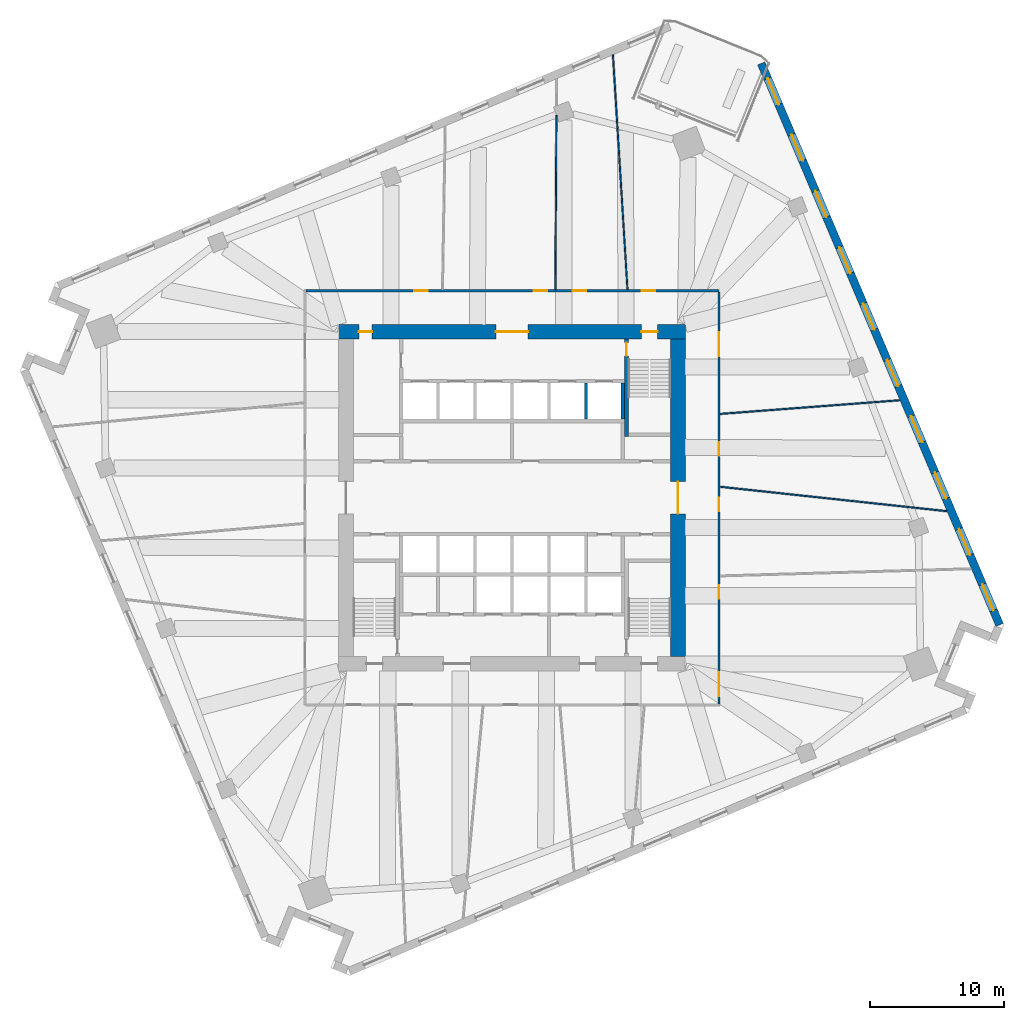
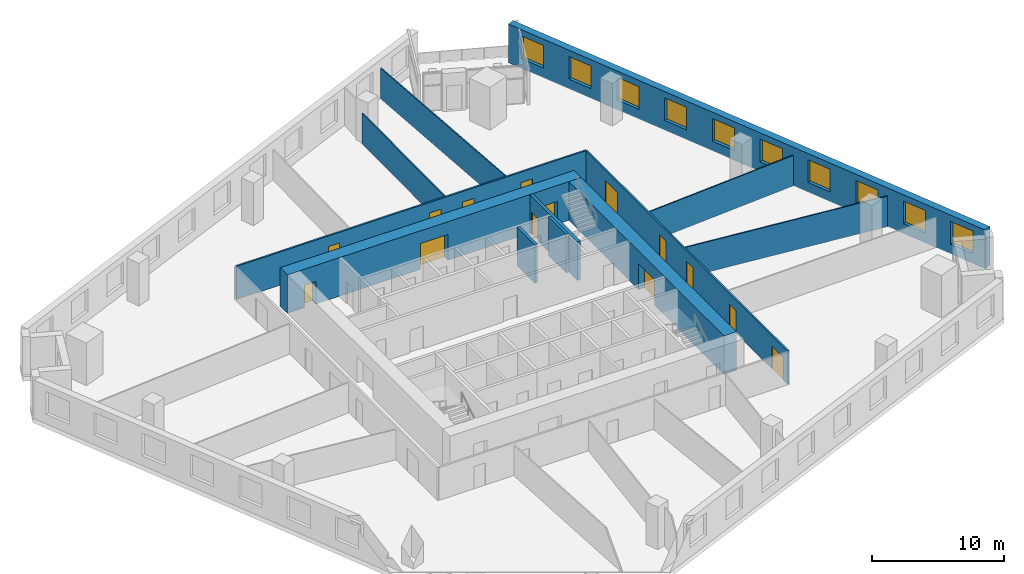
# One storey, part 9 of 12: 14 doors, 12 walls, 10 windows, 24 openings.
"""IFC4 building model written with IfcOpenShell, lengths in metres."""

from ifc_helpers import new_model, si_unit, direction, frame, frame_2d, origin, place, context, subcontext, project, spatial, rectangle, extrude, material, layer, layer_set, type_object, element, fill, save


model = new_model("IFC4")

# Units and contexts
model_context = context("Model", 3, precision=1e-05, world=origin(), true_north=direction((0.0, 1.0)))
body_context = subcontext(model_context, "Body", "Model", "MODEL_VIEW")
ifc_project = project(units=[si_unit("LENGTHUNIT", "METRE"), si_unit("AREAUNIT", "SQUARE_METRE"), si_unit("VOLUMEUNIT", "CUBIC_METRE"), si_unit("PLANEANGLEUNIT", "RADIAN"), si_unit("MASSUNIT", "GRAM", prefix="KILO")], contexts=[model_context])

# Site, building, storey
site_placement = place(None, origin())
site = spatial("IfcSite", under=ifc_project, at=site_placement, CompositionType="ELEMENT")
building_placement = place(site_placement, origin())
building = spatial("IfcBuilding", under=site, at=building_placement, Name="Dilmun Exchange Tower", CompositionType="ELEMENT")
storey_placement = place(building_placement, frame((0.0, 0.0, 114.10009765625)))
storey = spatial("IfcBuildingStorey", under=building, at=storey_placement, Name="L26", CompositionType="ELEMENT", Elevation=114.10009765625)

# Wall, openings, doors
ifc_material_1 = material(Name="Concrete C80/95", Category="concrete")
ifc_layer_1 = layer(ifc_material_1, 1.10009765625)
ifc_layer_set_1 = layer_set([ifc_layer_1], Name="Concrete C80/95")
wall_type_1 = type_object("IfcWallType", Name="Core shear wall 1100 Concrete C80/95", PredefinedType="SHEAR", material=ifc_layer_set_1)
wall_1_placement = place(storey_placement, frame((-12.89990234375, 12.35009765625, 0.0), z_axis=(0.0, 0.0, 1.0), x_axis=(1.0, 0.0, 0.0)))
wall_1 = element("IfcWall", 1, at=wall_1_placement, inside=storey, type_object=wall_type_1, Name="L26 core shear wall N", PredefinedType="SHEAR", context=body_context, shape_type="SweptSolid", body=[
    extrude(rectangle(XDim=25.7998046875, YDim=1.10009765625, at=frame_2d((12.89990234375, 0.0))), origin(), (0.0, 0.0, 1.0), 3.579833984375),
])
opening_1_placement = place(wall_1_placement, frame((11.699951171875, 0.0, 0.0)))
opening_1 = element("IfcOpeningElement", 2, at=opening_1_placement, cuts=wall_1, Name="Opening CD1", PredefinedType="OPENING", context=body_context, shape_type="SweptSolid", body=[
    extrude(rectangle(XDim=2.39990234375, YDim=2.39990234375, at=frame_2d((1.199951171875, 1.199951171875))), frame((0.0, 0.56005859375, 0.0), z_axis=(0.0, -1.0, 0.0), x_axis=(1.0, 0.0, 0.0)), (0.0, 0.0, 1.0), 1.1201171875),
])
opening_2_placement = place(wall_1_placement, frame((22.52490234375, 0.0, 0.0)))
opening_2 = element("IfcOpeningElement", 3, at=opening_2_placement, cuts=wall_1, Name="Opening CD3", PredefinedType="OPENING", context=body_context, shape_type="SweptSolid", body=[
    extrude(rectangle(XDim=1.199951171875, YDim=2.10009765625, at=frame_2d((0.60009765625, 1.050048828125))), frame((0.0, 0.56005859375, 0.0), z_axis=(0.0, -1.0, 0.0), x_axis=(1.0, 0.0, 0.0)), (0.0, 0.0, 1.0), 1.1201171875),
])
opening_3_placement = place(wall_1_placement, frame((1.5, 0.0, 0.0)))
opening_3 = element("IfcOpeningElement", 4, at=opening_3_placement, cuts=wall_1, Name="Opening CD4", PredefinedType="OPENING", context=body_context, shape_type="SweptSolid", body=[
    extrude(rectangle(XDim=1.0, YDim=2.10009765625, at=frame_2d((0.5, 1.050048828125))), frame((0.0, 0.56005859375, 0.0), z_axis=(0.0, -1.0, 0.0), x_axis=(1.0, 0.0, 0.0)), (0.0, 0.0, 1.0), 1.1201171875),
])
ifc_material_2 = material(Name="Fire-rated steel door set", Category="steel")
door_type_1 = type_object("IfcDoorType", Name="Core lobby door 2400x2400", OperationType="DOUBLE_DOOR_DOUBLE_SWING", PredefinedType="DOOR", material=ifc_material_2)
door_1_placement = place(opening_1_placement, origin())
door_1 = element("IfcDoor", 5, at=door_1_placement, inside=storey, type_object=door_type_1, Name="L26 door North lift lobby", OperationType="SINGLE_SWING_LEFT", OverallHeight=2.39990234375, OverallWidth=2.39990234375, PredefinedType="DOOR", context=body_context, shape_type="SweptSolid", body=[
    extrude(rectangle(XDim=2.39990234375, YDim=2.39990234375, at=frame_2d((1.199951171875, 1.199951171875))), frame((0.0, 0.02490234375, 0.0), z_axis=(0.0, -1.0, 0.0), x_axis=(1.0, 0.0, 0.0)), (0.0, 0.0, 1.0), 0.050048828125),
])
fill(opening_1, door_1)
door_type_2 = type_object("IfcDoorType", Name="Core room door 1000x2100", OperationType="SINGLE_SWING_LEFT", PredefinedType="DOOR", material=ifc_material_2)
door_2_placement = place(opening_3_placement, origin())
door_2 = element("IfcDoor", 6, at=door_2_placement, inside=storey, type_object=door_type_2, Name="L26 door North-west core rooms", OperationType="SINGLE_SWING_LEFT", OverallHeight=2.10009765625, OverallWidth=1.0, PredefinedType="DOOR", context=body_context, shape_type="SweptSolid", body=[
    extrude(rectangle(XDim=1.0, YDim=2.10009765625, at=frame_2d((0.5, 1.050048828125))), frame((0.0, 0.02490234375, 0.0), z_axis=(0.0, -1.0, 0.0), x_axis=(1.0, 0.0, 0.0)), (0.0, 0.0, 1.0), 0.050048828125),
])
fill(opening_3, door_2)
door_type_3 = type_object("IfcDoorType", Name="Stair exit door 1200x2100", OperationType="SINGLE_SWING_LEFT", PredefinedType="DOOR", material=ifc_material_2)
door_3_placement = place(opening_2_placement, origin())
door_3 = element("IfcDoor", 7, at=door_3_placement, inside=storey, type_object=door_type_3, Name="L26 door Stair ST1", OperationType="SINGLE_SWING_LEFT", OverallHeight=2.10009765625, OverallWidth=1.199951171875, PredefinedType="DOOR", context=body_context, shape_type="SweptSolid", body=[
    extrude(rectangle(XDim=1.199951171875, YDim=2.10009765625, at=frame_2d((0.60009765625, 1.050048828125))), frame((0.0, 0.02490234375, 0.0), z_axis=(0.0, -1.0, 0.0), x_axis=(1.0, 0.0, 0.0)), (0.0, 0.0, 1.0), 0.050048828125),
])
fill(opening_2, door_3)

# Wall, opening, door
wall_2_placement = place(storey_placement, frame((12.35009765625, -11.800048828125, 0.0), z_axis=(0.0, 0.0, 1.0), x_axis=(0.0, 1.0, 0.0)))
wall_2 = element("IfcWall", 8, at=wall_2_placement, inside=storey, type_object=wall_type_1, Name="L26 core shear wall E", PredefinedType="SHEAR", context=body_context, shape_type="SweptSolid", body=[
    extrude(rectangle(XDim=23.60009765625, YDim=1.10009765625, at=frame_2d((11.800048828125, 0.0))), origin(), (0.0, 0.0, 1.0), 3.579833984375),
])
opening_4_placement = place(wall_2_placement, frame((10.60009765625, 0.0, 0.0)))
opening_4 = element("IfcOpeningElement", 9, at=opening_4_placement, cuts=wall_2, Name="Opening CD1", PredefinedType="OPENING", context=body_context, shape_type="SweptSolid", body=[
    extrude(rectangle(XDim=2.39990234375, YDim=2.39990234375, at=frame_2d((1.199951171875, 1.199951171875))), frame((0.0, 0.56005859375, 0.0), z_axis=(0.0, -1.0, 0.0), x_axis=(1.0, 0.0, 0.0)), (0.0, 0.0, 1.0), 1.1201171875),
])
door_4_placement = place(opening_4_placement, origin())
door_4 = element("IfcDoor", 10, at=door_4_placement, inside=storey, type_object=door_type_1, Name="L26 door Central lift lobby", OperationType="SINGLE_SWING_LEFT", OverallHeight=2.39990234375, OverallWidth=2.39990234375, PredefinedType="DOOR", context=body_context, shape_type="SweptSolid", body=[
    extrude(rectangle(XDim=2.39990234375, YDim=2.39990234375, at=frame_2d((1.199951171875, 1.199951171875))), frame((0.0, 0.02490234375, 0.0), z_axis=(0.0, -1.0, 0.0), x_axis=(1.0, 0.0, 0.0)), (0.0, 0.0, 1.0), 0.050048828125),
])
fill(opening_4, door_4)

# Wall, openings, doors
ifc_material_3 = material(Name="Corridor wall 150")
ifc_layer_2 = layer(ifc_material_3, 0.14990234375)
ifc_layer_set_2 = layer_set([ifc_layer_2], Name="Corridor wall 150")
wall_type_2 = type_object("IfcWallType", Name="Corridor wall 150", PredefinedType="PARTITIONING", material=ifc_layer_set_2)
wall_3_placement = place(storey_placement, frame((-15.324951171875, 15.39990234375, 0.0), z_axis=(0.0, 0.0, 1.0), x_axis=(1.0, 0.0, 0.0)))
wall_3 = element("IfcWall", 11, at=wall_3_placement, inside=storey, type_object=wall_type_2, Name="Corridor wall", PredefinedType="PARTITIONING", context=body_context, shape_type="SweptSolid", body=[
    extrude(rectangle(XDim=30.724853515625, YDim=0.14990234375, at=frame_2d((15.3623046875, 0.0))), origin(), (0.0, 0.0, 1.0), 3.079833984375),
])
opening_5_placement = place(wall_3_placement, frame((8.050048828125, 0.0, 0.0)))
opening_5 = element("IfcOpeningElement", 12, at=opening_5_placement, cuts=wall_3, Name="Opening TF26-D05", PredefinedType="OPENING", context=body_context, shape_type="SweptSolid", body=[
    extrude(rectangle(XDim=1.0, YDim=2.10009765625, at=frame_2d((0.5, 1.050048828125))), frame((0.0, 0.0849609375, 0.0), z_axis=(0.0, -1.0, 0.0), x_axis=(1.0, 0.0, 0.0)), (0.0, 0.0, 1.0), 0.169921875),
])
opening_6_placement = place(wall_3_placement, frame((16.9501953125, 0.0, 0.0)))
opening_6 = element("IfcOpeningElement", 13, at=opening_6_placement, cuts=wall_3, Name="Opening TF26-D09", PredefinedType="OPENING", context=body_context, shape_type="SweptSolid", body=[
    extrude(rectangle(XDim=1.0, YDim=2.10009765625, at=frame_2d((0.5, 1.050048828125))), frame((0.0, 0.0849609375, 0.0), z_axis=(0.0, -1.0, 0.0), x_axis=(1.0, 0.0, 0.0)), (0.0, 0.0, 1.0), 0.169921875),
])
opening_7_placement = place(wall_3_placement, frame((19.847900390625, 0.0, 0.0)))
opening_7 = element("IfcOpeningElement", 14, at=opening_7_placement, cuts=wall_3, Name="Opening TF26-D11", PredefinedType="OPENING", context=body_context, shape_type="SweptSolid", body=[
    extrude(rectangle(XDim=1.0, YDim=2.10009765625, at=frame_2d((0.5, 1.050048828125))), frame((0.0, 0.0849609375, 0.0), z_axis=(0.0, -1.0, 0.0), x_axis=(1.0, 0.0, 0.0)), (0.0, 0.0, 1.0), 0.169921875),
])
opening_8_placement = place(wall_3_placement, frame((24.969482421875, 0.0, 0.0)))
opening_8 = element("IfcOpeningElement", 15, at=opening_8_placement, cuts=wall_3, Name="Opening TF26-D14", PredefinedType="OPENING", context=body_context, shape_type="SweptSolid", body=[
    extrude(rectangle(XDim=1.0, YDim=2.10009765625, at=frame_2d((0.5, 1.050048828125))), frame((0.0, 0.0849609375, 0.0), z_axis=(0.0, -1.0, 0.0), x_axis=(1.0, 0.0, 0.0)), (0.0, 0.0, 1.0), 0.169921875),
])
ifc_material_4 = material(Name="Fire door 1000 x 2100")
door_type_4 = type_object("IfcDoorType", Name="Fire door 1000 x 2100", OperationType="NOTDEFINED", PredefinedType="DOOR", material=ifc_material_4)
door_5_placement = place(opening_5_placement, origin())
door_5 = element("IfcDoor", 16, at=door_5_placement, inside=storey, type_object=door_type_4, Name="Door TF26-D05", OperationType="SINGLE_SWING_RIGHT", OverallHeight=2.10009765625, OverallWidth=1.0, PredefinedType="DOOR", context=body_context, shape_type="SweptSolid", body=[
    extrude(rectangle(XDim=1.0, YDim=2.10009765625, at=frame_2d((0.5, 1.050048828125))), frame((0.0, 0.02490234375, 0.0), z_axis=(0.0, -1.0, 0.0), x_axis=(1.0, 0.0, 0.0)), (0.0, 0.0, 1.0), 0.050048828125),
])
fill(opening_5, door_5)
door_6_placement = place(opening_6_placement, origin())
door_6 = element("IfcDoor", 17, at=door_6_placement, inside=storey, type_object=door_type_4, Name="Door TF26-D09", OperationType="SINGLE_SWING_RIGHT", OverallHeight=2.10009765625, OverallWidth=1.0, PredefinedType="DOOR", context=body_context, shape_type="SweptSolid", body=[
    extrude(rectangle(XDim=1.0, YDim=2.10009765625, at=frame_2d((0.5, 1.050048828125))), frame((0.0, 0.02490234375, 0.0), z_axis=(0.0, -1.0, 0.0), x_axis=(1.0, 0.0, 0.0)), (0.0, 0.0, 1.0), 0.050048828125),
])
fill(opening_6, door_6)
door_7_placement = place(opening_7_placement, origin())
door_7 = element("IfcDoor", 18, at=door_7_placement, inside=storey, type_object=door_type_4, Name="Door TF26-D11", OperationType="SINGLE_SWING_LEFT", OverallHeight=2.10009765625, OverallWidth=1.0, PredefinedType="DOOR", context=body_context, shape_type="SweptSolid", body=[
    extrude(rectangle(XDim=1.0, YDim=2.10009765625, at=frame_2d((0.5, 1.050048828125))), frame((0.0, 0.02490234375, 0.0), z_axis=(0.0, -1.0, 0.0), x_axis=(1.0, 0.0, 0.0)), (0.0, 0.0, 1.0), 0.050048828125),
])
fill(opening_7, door_7)
door_8_placement = place(opening_8_placement, origin())
door_8 = element("IfcDoor", 19, at=door_8_placement, inside=storey, type_object=door_type_4, Name="Door TF26-D14", OperationType="SINGLE_SWING_LEFT", OverallHeight=2.10009765625, OverallWidth=1.0, PredefinedType="DOOR", context=body_context, shape_type="SweptSolid", body=[
    extrude(rectangle(XDim=1.0, YDim=2.10009765625, at=frame_2d((0.5, 1.050048828125))), frame((0.0, 0.02490234375, 0.0), z_axis=(0.0, -1.0, 0.0), x_axis=(1.0, 0.0, 0.0)), (0.0, 0.0, 1.0), 0.050048828125),
])
fill(opening_8, door_8)

wall_4_placement = place(storey_placement, frame((15.39990234375, -15.324951171875, 0.0), z_axis=(0.0, 0.0, 1.0), x_axis=(0.0, 1.0, 0.0)))
wall_4 = element("IfcWall", 20, at=wall_4_placement, inside=storey, type_object=wall_type_2, Name="Corridor wall", PredefinedType="PARTITIONING", context=body_context, shape_type="SweptSolid", body=[
    extrude(rectangle(XDim=30.64990234375, YDim=0.14990234375, at=frame_2d((15.324951171875, 0.0))), origin(), (0.0, 0.0, 1.0), 3.079833984375),
])
opening_9_placement = place(wall_4_placement, frame((25.854736328125, 0.0, 0.0)))
opening_9 = element("IfcOpeningElement", 21, at=opening_9_placement, cuts=wall_4, Name="Opening TF26-D13", PredefinedType="OPENING", context=body_context, shape_type="SweptSolid", body=[
    extrude(rectangle(XDim=1.800048828125, YDim=2.10009765625, at=frame_2d((0.89990234375, 1.050048828125))), frame((0.0, 0.0849609375, 0.0), z_axis=(0.0, -1.0, 0.0), x_axis=(1.0, 0.0, 0.0)), (0.0, 0.0, 1.0), 0.169921875),
])
opening_10_placement = place(wall_4_placement, frame((0.550048828125, 0.0, 0.0)))
opening_10 = element("IfcOpeningElement", 22, at=opening_10_placement, cuts=wall_4, Name="Opening TF26-D15", PredefinedType="OPENING", context=body_context, shape_type="SweptSolid", body=[
    extrude(rectangle(XDim=1.800048828125, YDim=2.10009765625, at=frame_2d((0.89990234375, 1.050048828125))), frame((0.0, 0.0849609375, 0.0), z_axis=(0.0, -1.0, 0.0), x_axis=(1.0, 0.0, 0.0)), (0.0, 0.0, 1.0), 0.169921875),
])
opening_11_placement = place(wall_4_placement, frame((7.800048828125, 0.0, 0.0)))
opening_11 = element("IfcOpeningElement", 23, at=opening_11_placement, cuts=wall_4, Name="Opening TF26-D16", PredefinedType="OPENING", context=body_context, shape_type="SweptSolid", body=[
    extrude(rectangle(XDim=1.0, YDim=2.10009765625, at=frame_2d((0.5, 1.050048828125))), frame((0.0, 0.0849609375, 0.0), z_axis=(0.0, -1.0, 0.0), x_axis=(1.0, 0.0, 0.0)), (0.0, 0.0, 1.0), 0.169921875),
])
opening_12_placement = place(wall_4_placement, frame((18.44775390625, 0.0, 0.0)))
opening_12 = element("IfcOpeningElement", 24, at=opening_12_placement, cuts=wall_4, Name="Opening TF26-D17", PredefinedType="OPENING", context=body_context, shape_type="SweptSolid", body=[
    extrude(rectangle(XDim=1.0, YDim=2.10009765625, at=frame_2d((0.5, 1.050048828125))), frame((0.0, 0.0849609375, 0.0), z_axis=(0.0, -1.0, 0.0), x_axis=(1.0, 0.0, 0.0)), (0.0, 0.0, 1.0), 0.169921875),
])
opening_13_placement = place(wall_4_placement, frame((14.308349609375, 0.0, 0.0)))
opening_13 = element("IfcOpeningElement", 25, at=opening_13_placement, cuts=wall_4, Name="Opening TF26-D18", PredefinedType="OPENING", context=body_context, shape_type="SweptSolid", body=[
    extrude(rectangle(XDim=1.0, YDim=2.10009765625, at=frame_2d((0.5, 1.050048828125))), frame((0.0, 0.0849609375, 0.0), z_axis=(0.0, -1.0, 0.0), x_axis=(1.0, 0.0, 0.0)), (0.0, 0.0, 1.0), 0.169921875),
])
door_9_placement = place(opening_11_placement, frame((1.0, 0.0, 0.0), z_axis=(0.0, 0.0, 1.0), x_axis=(-1.0, 0.0, 0.0)))
door_9 = element("IfcDoor", 26, at=door_9_placement, inside=storey, type_object=door_type_4, Name="Door TF26-D16", OperationType="SINGLE_SWING_RIGHT", OverallHeight=2.10009765625, OverallWidth=1.0, PredefinedType="DOOR", context=body_context, shape_type="SweptSolid", body=[
    extrude(rectangle(XDim=1.0, YDim=2.10009765625, at=frame_2d((0.5, 1.050048828125))), frame((0.0, 0.02490234375, 0.0), z_axis=(0.0, -1.0, 0.0), x_axis=(1.0, 0.0, 0.0)), (0.0, 0.0, 1.0), 0.050048828125),
])
fill(opening_11, door_9)
door_10_placement = place(opening_12_placement, frame((1.0, 0.0, 0.0), z_axis=(0.0, 0.0, 1.0), x_axis=(-1.0, 0.0, 0.0)))
door_10 = element("IfcDoor", 27, at=door_10_placement, inside=storey, type_object=door_type_4, Name="Door TF26-D17", OperationType="SINGLE_SWING_RIGHT", OverallHeight=2.10009765625, OverallWidth=1.0, PredefinedType="DOOR", context=body_context, shape_type="SweptSolid", body=[
    extrude(rectangle(XDim=1.0, YDim=2.10009765625, at=frame_2d((0.5, 1.050048828125))), frame((0.0, 0.02490234375, 0.0), z_axis=(0.0, -1.0, 0.0), x_axis=(1.0, 0.0, 0.0)), (0.0, 0.0, 1.0), 0.050048828125),
])
fill(opening_12, door_10)
door_11_placement = place(opening_13_placement, frame((1.0, 0.0, 0.0), z_axis=(0.0, 0.0, 1.0), x_axis=(-1.0, 0.0, 0.0)))
door_11 = element("IfcDoor", 28, at=door_11_placement, inside=storey, type_object=door_type_4, Name="Door TF26-D18", OperationType="SINGLE_SWING_LEFT", OverallHeight=2.10009765625, OverallWidth=1.0, PredefinedType="DOOR", context=body_context, shape_type="SweptSolid", body=[
    extrude(rectangle(XDim=1.0, YDim=2.10009765625, at=frame_2d((0.5, 1.050048828125))), frame((0.0, 0.02490234375, 0.0), z_axis=(0.0, -1.0, 0.0), x_axis=(1.0, 0.0, 0.0)), (0.0, 0.0, 1.0), 0.050048828125),
])
fill(opening_13, door_11)
ifc_material_5 = material(Name="Fire door pair 1800 x 2100")
door_type_5 = type_object("IfcDoorType", Name="Fire door pair 1800 x 2100", OperationType="NOTDEFINED", PredefinedType="DOOR", material=ifc_material_5)
door_12_placement = place(opening_9_placement, frame((1.800048828125, 0.0, 0.0), z_axis=(0.0, 0.0, 1.0), x_axis=(-1.0, 0.0, 0.0)))
door_12 = element("IfcDoor", 29, at=door_12_placement, inside=storey, type_object=door_type_5, Name="Door TF26-D13", OperationType="DOUBLE_DOOR_SINGLE_SWING", OverallHeight=2.10009765625, OverallWidth=1.800048828125, PredefinedType="DOOR", context=body_context, shape_type="SweptSolid", body=[
    extrude(rectangle(XDim=1.800048828125, YDim=2.10009765625, at=frame_2d((0.89990234375, 1.050048828125))), frame((0.0, 0.02490234375, 0.0), z_axis=(0.0, -1.0, 0.0), x_axis=(1.0, 0.0, 0.0)), (0.0, 0.0, 1.0), 0.050048828125),
])
fill(opening_9, door_12)
door_13_placement = place(opening_10_placement, frame((1.800048828125, 0.0, 0.0), z_axis=(0.0, 0.0, 1.0), x_axis=(-1.0, 0.0, 0.0)))
door_13 = element("IfcDoor", 30, at=door_13_placement, inside=storey, type_object=door_type_5, Name="Door TF26-D15", OperationType="DOUBLE_DOOR_SINGLE_SWING", OverallHeight=2.10009765625, OverallWidth=1.800048828125, PredefinedType="DOOR", context=body_context, shape_type="SweptSolid", body=[
    extrude(rectangle(XDim=1.800048828125, YDim=2.10009765625, at=frame_2d((0.89990234375, 1.050048828125))), frame((0.0, 0.02490234375, 0.0), z_axis=(0.0, -1.0, 0.0), x_axis=(1.0, 0.0, 0.0)), (0.0, 0.0, 1.0), 0.050048828125),
])
fill(opening_10, door_13)

# Walls
ifc_material_6 = material(Name="Concrete C40/50", Category="concrete")
ifc_layer_3 = layer(ifc_material_6, 0.25)
ifc_layer_set_3 = layer_set([ifc_layer_3], Name="Concrete C40/50")
wall_type_3 = type_object("IfcWallType", Name="Lift shaft wall 250", PredefinedType="SOLIDWALL", material=ifc_layer_set_3)
for number, where, z_axis, x_axis, name in (
    (31, (5.5, 5.85009765625, 0.0), (0.0, 0.0, 1.0), (0.0, 1.0, 0.0), "L26 lift shaft divider N25"),
    (32, (8.25, 5.85009765625, 0.0), (0.0, 0.0, 1.0), (0.0, 1.0, 0.0), "L26 lift shaft divider N26"),
):
    element("IfcWall", number, at=place(storey_placement, frame(where, z_axis=z_axis, x_axis=x_axis)), inside=storey, type_object=wall_type_3, Name=name, PredefinedType="SOLIDWALL", context=body_context, shape_type="SweptSolid", body=[
        extrude(rectangle(XDim=2.699951171875, YDim=0.25, at=frame_2d((1.35009765625, 0.0))), origin(), (0.0, 0.0, 1.0), 3.579833984375),
    ])
ifc_material_7 = material(Name="Partition 100")
ifc_layer_4 = layer(ifc_material_7, 0.10009765625)
ifc_layer_set_4 = layer_set([ifc_layer_4], Name="Partition 100")
wall_type_4 = type_object("IfcWallType", Name="Partition 100", PredefinedType="PARTITIONING", material=ifc_layer_set_4)
wall_5_placement = place(storey_placement, frame((3.223388671875, 15.475341796875, 0.0), z_axis=(0.0, 0.0, 1.0), x_axis=(0.006333864112, 0.999979940882, 0.0)))
element("IfcWall", 33, at=wall_5_placement, inside=storey, type_object=wall_type_4, Name="Partition", PredefinedType="PARTITIONING", context=body_context, shape_type="SweptSolid", body=[
    extrude(rectangle(XDim=12.98974609375, YDim=0.10009765625, at=frame_2d((6.494873046875, 0.0))), origin(), (0.0, 0.0, 1.0), 2.829833984375),
])
wall_6_placement = place(storey_placement, frame((7.508544921875, 32.951416015625, 0.0), z_axis=(0.0, 0.0, 1.0), x_axis=(0.061903377762, -0.99808214683, 0.0)))
element("IfcWall", 34, at=wall_6_placement, inside=storey, type_object=wall_type_4, Name="Partition", PredefinedType="PARTITIONING", context=body_context, shape_type="SweptSolid", body=[
    extrude(rectangle(XDim=17.507080078125, YDim=0.10009765625, at=frame_2d((8.75341796875, 0.0))), origin(), (0.0, 0.0, 1.0), 2.829833984375),
])
wall_7_placement = place(storey_placement, frame((15.48046875, 0.818359375, 0.0), z_axis=(0.0, 0.0, 1.0), x_axis=(0.994248502276, -0.107097692424, 0.0)))
element("IfcWall", 35, at=wall_7_placement, inside=storey, type_object=wall_type_4, Name="Partition", PredefinedType="PARTITIONING", context=body_context, shape_type="SweptSolid", body=[
    extrude(rectangle(XDim=16.978515625, YDim=0.10009765625, at=frame_2d((8.4892578125, 0.0))), origin(), (0.0, 0.0, 1.0), 2.829833984375),
])
wall_8_placement = place(storey_placement, frame((15.478759765625, 6.236083984375, 0.0), z_axis=(0.0, 0.0, 1.0), x_axis=(0.997108716133, 0.075988211007, 0.0)))
element("IfcWall", 36, at=wall_8_placement, inside=storey, type_object=wall_type_4, Name="Partition", PredefinedType="PARTITIONING", context=body_context, shape_type="SweptSolid", body=[
    extrude(rectangle(XDim=13.4169921875, YDim=0.10009765625, at=frame_2d((6.70849609375, 0.0))), origin(), (0.0, 0.0, 1.0), 2.829833984375),
])

# Wall, openings, windows
ifc_material_8 = material(Name="Precast concrete C50/60", Category="concrete")
ifc_layer_5 = layer(ifc_material_8, 0.60009765625)
ifc_layer_set_5 = layer_set([ifc_layer_5], Name="Precast concrete C50/60")
wall_type_5 = type_object("IfcWallType", Name="Precast stone-clad wall 600", PredefinedType="STANDARD", material=ifc_layer_set_5)
wall_9_placement = place(storey_placement, frame((36.27734375, -9.452392578125, 0.0), z_axis=(0.0, 0.0, 1.0), x_axis=(-0.390731814816, 0.920504562124, 0.0)))
wall_9 = element("IfcWall", 37, at=wall_9_placement, inside=storey, type_object=wall_type_5, Name="Facade wall L26-21", PredefinedType="STANDARD", context=body_context, shape_type="SweptSolid", body=[
    extrude(rectangle(XDim=45.375732421875, YDim=0.60009765625, at=frame_2d((22.68798828125, 0.0))), origin(), (0.0, 0.0, 1.0), 3.579833984375),
])
opening_14_placement = place(wall_9_placement, frame((1.162841796875, 0.0, 0.89990234375)))
opening_14 = element("IfcOpeningElement", 38, at=opening_14_placement, cuts=wall_9, Name="Opening W210-210", PredefinedType="OPENING", context=body_context, shape_type="SweptSolid", body=[
    extrude(rectangle(XDim=2.10009765625, YDim=2.10009765625, at=frame_2d((1.050048828125, 1.050048828125))), frame((0.0, 0.31005859375, 0.0), z_axis=(0.0, -1.0, 0.0), x_axis=(1.0, 0.0, 0.0)), (0.0, 0.0, 1.0), 0.6201171875),
])
opening_15_placement = place(wall_9_placement, frame((5.650634765625, 0.0, 0.89990234375)))
opening_15 = element("IfcOpeningElement", 39, at=opening_15_placement, cuts=wall_9, Name="Opening W210-210", PredefinedType="OPENING", context=body_context, shape_type="SweptSolid", body=[
    extrude(rectangle(XDim=2.10009765625, YDim=2.10009765625, at=frame_2d((1.050048828125, 1.050048828125))), frame((0.0, 0.31005859375, 0.0), z_axis=(0.0, -1.0, 0.0), x_axis=(1.0, 0.0, 0.0)), (0.0, 0.0, 1.0), 0.6201171875),
])
opening_16_placement = place(wall_9_placement, frame((10.20068359375, 0.0, 0.89990234375)))
opening_16 = element("IfcOpeningElement", 40, at=opening_16_placement, cuts=wall_9, Name="Opening W210-210", PredefinedType="OPENING", context=body_context, shape_type="SweptSolid", body=[
    extrude(rectangle(XDim=2.10009765625, YDim=2.10009765625, at=frame_2d((1.050048828125, 1.050048828125))), frame((0.0, 0.31005859375, 0.0), z_axis=(0.0, -1.0, 0.0), x_axis=(1.0, 0.0, 0.0)), (0.0, 0.0, 1.0), 0.6201171875),
])
opening_17_placement = place(wall_9_placement, frame((14.750732421875, 0.0, 0.89990234375)))
opening_17 = element("IfcOpeningElement", 41, at=opening_17_placement, cuts=wall_9, Name="Opening W210-210", PredefinedType="OPENING", context=body_context, shape_type="SweptSolid", body=[
    extrude(rectangle(XDim=2.10009765625, YDim=2.10009765625, at=frame_2d((1.050048828125, 1.050048828125))), frame((0.0, 0.31005859375, 0.0), z_axis=(0.0, -1.0, 0.0), x_axis=(1.0, 0.0, 0.0)), (0.0, 0.0, 1.0), 0.6201171875),
])
opening_18_placement = place(wall_9_placement, frame((19.30078125, 0.0, 0.89990234375)))
opening_18 = element("IfcOpeningElement", 42, at=opening_18_placement, cuts=wall_9, Name="Opening W210-210", PredefinedType="OPENING", context=body_context, shape_type="SweptSolid", body=[
    extrude(rectangle(XDim=2.10009765625, YDim=2.10009765625, at=frame_2d((1.050048828125, 1.050048828125))), frame((0.0, 0.31005859375, 0.0), z_axis=(0.0, -1.0, 0.0), x_axis=(1.0, 0.0, 0.0)), (0.0, 0.0, 1.0), 0.6201171875),
])
opening_19_placement = place(wall_9_placement, frame((23.8505859375, 0.0, 0.89990234375)))
opening_19 = element("IfcOpeningElement", 43, at=opening_19_placement, cuts=wall_9, Name="Opening W210-210", PredefinedType="OPENING", context=body_context, shape_type="SweptSolid", body=[
    extrude(rectangle(XDim=2.10009765625, YDim=2.10009765625, at=frame_2d((1.050048828125, 1.050048828125))), frame((0.0, 0.31005859375, 0.0), z_axis=(0.0, -1.0, 0.0), x_axis=(1.0, 0.0, 0.0)), (0.0, 0.0, 1.0), 0.6201171875),
])
opening_20_placement = place(wall_9_placement, frame((28.400634765625, 0.0, 0.89990234375)))
opening_20 = element("IfcOpeningElement", 44, at=opening_20_placement, cuts=wall_9, Name="Opening W210-210", PredefinedType="OPENING", context=body_context, shape_type="SweptSolid", body=[
    extrude(rectangle(XDim=2.10009765625, YDim=2.10009765625, at=frame_2d((1.050048828125, 1.050048828125))), frame((0.0, 0.31005859375, 0.0), z_axis=(0.0, -1.0, 0.0), x_axis=(1.0, 0.0, 0.0)), (0.0, 0.0, 1.0), 0.6201171875),
])
opening_21_placement = place(wall_9_placement, frame((32.95068359375, 0.0, 0.89990234375)))
opening_21 = element("IfcOpeningElement", 45, at=opening_21_placement, cuts=wall_9, Name="Opening W210-210", PredefinedType="OPENING", context=body_context, shape_type="SweptSolid", body=[
    extrude(rectangle(XDim=2.10009765625, YDim=2.10009765625, at=frame_2d((1.050048828125, 1.050048828125))), frame((0.0, 0.31005859375, 0.0), z_axis=(0.0, -1.0, 0.0), x_axis=(1.0, 0.0, 0.0)), (0.0, 0.0, 1.0), 0.6201171875),
])
opening_22_placement = place(wall_9_placement, frame((37.500732421875, 0.0, 0.89990234375)))
opening_22 = element("IfcOpeningElement", 46, at=opening_22_placement, cuts=wall_9, Name="Opening W210-210", PredefinedType="OPENING", context=body_context, shape_type="SweptSolid", body=[
    extrude(rectangle(XDim=2.10009765625, YDim=2.10009765625, at=frame_2d((1.050048828125, 1.050048828125))), frame((0.0, 0.31005859375, 0.0), z_axis=(0.0, -1.0, 0.0), x_axis=(1.0, 0.0, 0.0)), (0.0, 0.0, 1.0), 0.6201171875),
])
opening_23_placement = place(wall_9_placement, frame((42.05078125, 0.0, 0.89990234375)))
opening_23 = element("IfcOpeningElement", 47, at=opening_23_placement, cuts=wall_9, Name="Opening W210-210", PredefinedType="OPENING", context=body_context, shape_type="SweptSolid", body=[
    extrude(rectangle(XDim=2.10009765625, YDim=2.10009765625, at=frame_2d((1.050048828125, 1.050048828125))), frame((0.0, 0.31005859375, 0.0), z_axis=(0.0, -1.0, 0.0), x_axis=(1.0, 0.0, 0.0)), (0.0, 0.0, 1.0), 0.6201171875),
])
ifc_material_9 = material(Name="Clear low-emissivity glass in aluminium frame", Category="aluminium")
window_type = type_object("IfcWindowType", Name="Punched window 2100 x 2100", PartitioningType="DOUBLE_PANEL_VERTICAL", PredefinedType="WINDOW", material=ifc_material_9)
window_1_placement = place(opening_14_placement, origin())
window_1 = element("IfcWindow", 48, at=window_1_placement, inside=storey, type_object=window_type, Name="Window 22.1", OverallHeight=2.10009765625, OverallWidth=2.10009765625, PartitioningType="SINGLE_PANEL", PredefinedType="WINDOW", context=body_context, shape_type="SweptSolid", body=[
    extrude(rectangle(XDim=2.10009765625, YDim=2.10009765625, at=frame_2d((1.050048828125, 1.050048828125))), frame((0.0, 0.030029296875, 0.0), z_axis=(0.0, -1.0, 0.0), x_axis=(1.0, 0.0, 0.0)), (0.0, 0.0, 1.0), 0.06005859375),
])
fill(opening_14, window_1)
window_2_placement = place(opening_15_placement, origin())
window_2 = element("IfcWindow", 49, at=window_2_placement, inside=storey, type_object=window_type, Name="Window 22.2", OverallHeight=2.10009765625, OverallWidth=2.10009765625, PartitioningType="SINGLE_PANEL", PredefinedType="WINDOW", context=body_context, shape_type="SweptSolid", body=[
    extrude(rectangle(XDim=2.10009765625, YDim=2.10009765625, at=frame_2d((1.050048828125, 1.050048828125))), frame((0.0, 0.030029296875, 0.0), z_axis=(0.0, -1.0, 0.0), x_axis=(1.0, 0.0, 0.0)), (0.0, 0.0, 1.0), 0.06005859375),
])
fill(opening_15, window_2)
window_3_placement = place(opening_16_placement, origin())
window_3 = element("IfcWindow", 50, at=window_3_placement, inside=storey, type_object=window_type, Name="Window 22.3", OverallHeight=2.10009765625, OverallWidth=2.10009765625, PartitioningType="SINGLE_PANEL", PredefinedType="WINDOW", context=body_context, shape_type="SweptSolid", body=[
    extrude(rectangle(XDim=2.10009765625, YDim=2.10009765625, at=frame_2d((1.050048828125, 1.050048828125))), frame((0.0, 0.030029296875, 0.0), z_axis=(0.0, -1.0, 0.0), x_axis=(1.0, 0.0, 0.0)), (0.0, 0.0, 1.0), 0.06005859375),
])
fill(opening_16, window_3)
window_4_placement = place(opening_17_placement, origin())
window_4 = element("IfcWindow", 51, at=window_4_placement, inside=storey, type_object=window_type, Name="Window 22.4", OverallHeight=2.10009765625, OverallWidth=2.10009765625, PartitioningType="SINGLE_PANEL", PredefinedType="WINDOW", context=body_context, shape_type="SweptSolid", body=[
    extrude(rectangle(XDim=2.10009765625, YDim=2.10009765625, at=frame_2d((1.050048828125, 1.050048828125))), frame((0.0, 0.030029296875, 0.0), z_axis=(0.0, -1.0, 0.0), x_axis=(1.0, 0.0, 0.0)), (0.0, 0.0, 1.0), 0.06005859375),
])
fill(opening_17, window_4)
window_5_placement = place(opening_18_placement, origin())
window_5 = element("IfcWindow", 52, at=window_5_placement, inside=storey, type_object=window_type, Name="Window 22.5", OverallHeight=2.10009765625, OverallWidth=2.10009765625, PartitioningType="SINGLE_PANEL", PredefinedType="WINDOW", context=body_context, shape_type="SweptSolid", body=[
    extrude(rectangle(XDim=2.10009765625, YDim=2.10009765625, at=frame_2d((1.050048828125, 1.050048828125))), frame((0.0, 0.030029296875, 0.0), z_axis=(0.0, -1.0, 0.0), x_axis=(1.0, 0.0, 0.0)), (0.0, 0.0, 1.0), 0.06005859375),
])
fill(opening_18, window_5)
window_6_placement = place(opening_19_placement, origin())
window_6 = element("IfcWindow", 53, at=window_6_placement, inside=storey, type_object=window_type, Name="Window 22.6", OverallHeight=2.10009765625, OverallWidth=2.10009765625, PartitioningType="SINGLE_PANEL", PredefinedType="WINDOW", context=body_context, shape_type="SweptSolid", body=[
    extrude(rectangle(XDim=2.10009765625, YDim=2.10009765625, at=frame_2d((1.050048828125, 1.050048828125))), frame((0.0, 0.030029296875, 0.0), z_axis=(0.0, -1.0, 0.0), x_axis=(1.0, 0.0, 0.0)), (0.0, 0.0, 1.0), 0.06005859375),
])
fill(opening_19, window_6)
window_7_placement = place(opening_20_placement, origin())
window_7 = element("IfcWindow", 54, at=window_7_placement, inside=storey, type_object=window_type, Name="Window 22.7", OverallHeight=2.10009765625, OverallWidth=2.10009765625, PartitioningType="SINGLE_PANEL", PredefinedType="WINDOW", context=body_context, shape_type="SweptSolid", body=[
    extrude(rectangle(XDim=2.10009765625, YDim=2.10009765625, at=frame_2d((1.050048828125, 1.050048828125))), frame((0.0, 0.030029296875, 0.0), z_axis=(0.0, -1.0, 0.0), x_axis=(1.0, 0.0, 0.0)), (0.0, 0.0, 1.0), 0.06005859375),
])
fill(opening_20, window_7)
window_8_placement = place(opening_21_placement, origin())
window_8 = element("IfcWindow", 55, at=window_8_placement, inside=storey, type_object=window_type, Name="Window 22.8", OverallHeight=2.10009765625, OverallWidth=2.10009765625, PartitioningType="SINGLE_PANEL", PredefinedType="WINDOW", context=body_context, shape_type="SweptSolid", body=[
    extrude(rectangle(XDim=2.10009765625, YDim=2.10009765625, at=frame_2d((1.050048828125, 1.050048828125))), frame((0.0, 0.030029296875, 0.0), z_axis=(0.0, -1.0, 0.0), x_axis=(1.0, 0.0, 0.0)), (0.0, 0.0, 1.0), 0.06005859375),
])
fill(opening_21, window_8)
window_9_placement = place(opening_22_placement, origin())
window_9 = element("IfcWindow", 56, at=window_9_placement, inside=storey, type_object=window_type, Name="Window 22.9", OverallHeight=2.10009765625, OverallWidth=2.10009765625, PartitioningType="SINGLE_PANEL", PredefinedType="WINDOW", context=body_context, shape_type="SweptSolid", body=[
    extrude(rectangle(XDim=2.10009765625, YDim=2.10009765625, at=frame_2d((1.050048828125, 1.050048828125))), frame((0.0, 0.030029296875, 0.0), z_axis=(0.0, -1.0, 0.0), x_axis=(1.0, 0.0, 0.0)), (0.0, 0.0, 1.0), 0.06005859375),
])
fill(opening_22, window_9)
window_10_placement = place(opening_23_placement, origin())
window_10 = element("IfcWindow", 57, at=window_10_placement, inside=storey, type_object=window_type, Name="Window 22.10", OverallHeight=2.10009765625, OverallWidth=2.10009765625, PartitioningType="SINGLE_PANEL", PredefinedType="WINDOW", context=body_context, shape_type="SweptSolid", body=[
    extrude(rectangle(XDim=2.10009765625, YDim=2.10009765625, at=frame_2d((1.050048828125, 1.050048828125))), frame((0.0, 0.030029296875, 0.0), z_axis=(0.0, -1.0, 0.0), x_axis=(1.0, 0.0, 0.0)), (0.0, 0.0, 1.0), 0.06005859375),
])
fill(opening_23, window_10)

# Wall, opening, door
ifc_layer_6 = layer(ifc_material_6, 0.27490234375)
ifc_layer_set_6 = layer_set([ifc_layer_6], Name="Concrete C40/50")
wall_type_6 = type_object("IfcWallType", Name="Stair wall 275", PredefinedType="SOLIDWALL", material=ifc_layer_set_6)
wall_10_placement = place(storey_placement, frame((8.512451171875, 4.550048828125, 0.0), z_axis=(0.0, 0.0, 1.0), x_axis=(0.0, 1.0, 0.0)))
wall_10 = element("IfcWall", 58, at=wall_10_placement, inside=storey, type_object=wall_type_6, Name="L26 ST1 wall to lift block", PredefinedType="SOLIDWALL", context=body_context, shape_type="SweptSolid", body=[
    extrude(rectangle(XDim=7.25, YDim=0.27490234375, at=frame_2d((3.625, 0.0))), origin(), (0.0, 0.0, 1.0), 3.579833984375),
])
opening_24_placement = place(wall_10_placement, frame((6.0, 0.0, 0.0)))
opening_24 = element("IfcOpeningElement", 59, at=opening_24_placement, cuts=wall_10, Name="Opening CD4", PredefinedType="OPENING", context=body_context, shape_type="SweptSolid", body=[
    extrude(rectangle(XDim=1.0, YDim=2.10009765625, at=frame_2d((0.5, 1.050048828125))), frame((0.0, 0.1474609375, 0.0), z_axis=(0.0, -1.0, 0.0), x_axis=(1.0, 0.0, 0.0)), (0.0, 0.0, 1.0), 0.294921875),
])
door_14_placement = place(opening_24_placement, origin())
door_14 = element("IfcDoor", 60, at=door_14_placement, inside=storey, type_object=door_type_2, Name="L26 door ST1 from lobby", OperationType="SINGLE_SWING_LEFT", OverallHeight=2.10009765625, OverallWidth=1.0, PredefinedType="DOOR", context=body_context, shape_type="SweptSolid", body=[
    extrude(rectangle(XDim=1.0, YDim=2.10009765625, at=frame_2d((0.5, 1.050048828125))), frame((0.0, 0.02490234375, 0.0), z_axis=(0.0, -1.0, 0.0), x_axis=(1.0, 0.0, 0.0)), (0.0, 0.0, 1.0), 0.050048828125),
])
fill(opening_24, door_14)

save(model, "model.ifc")
